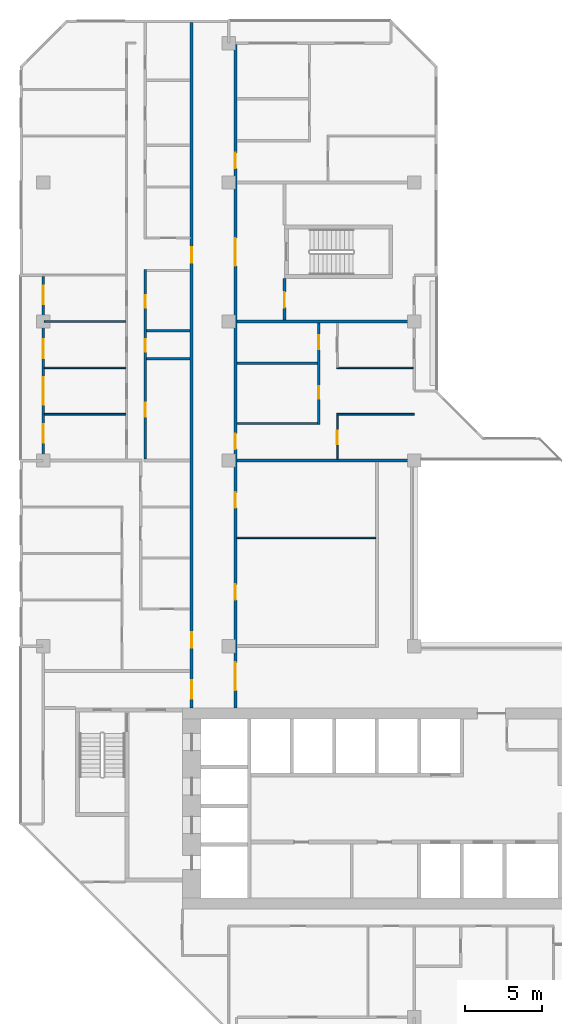
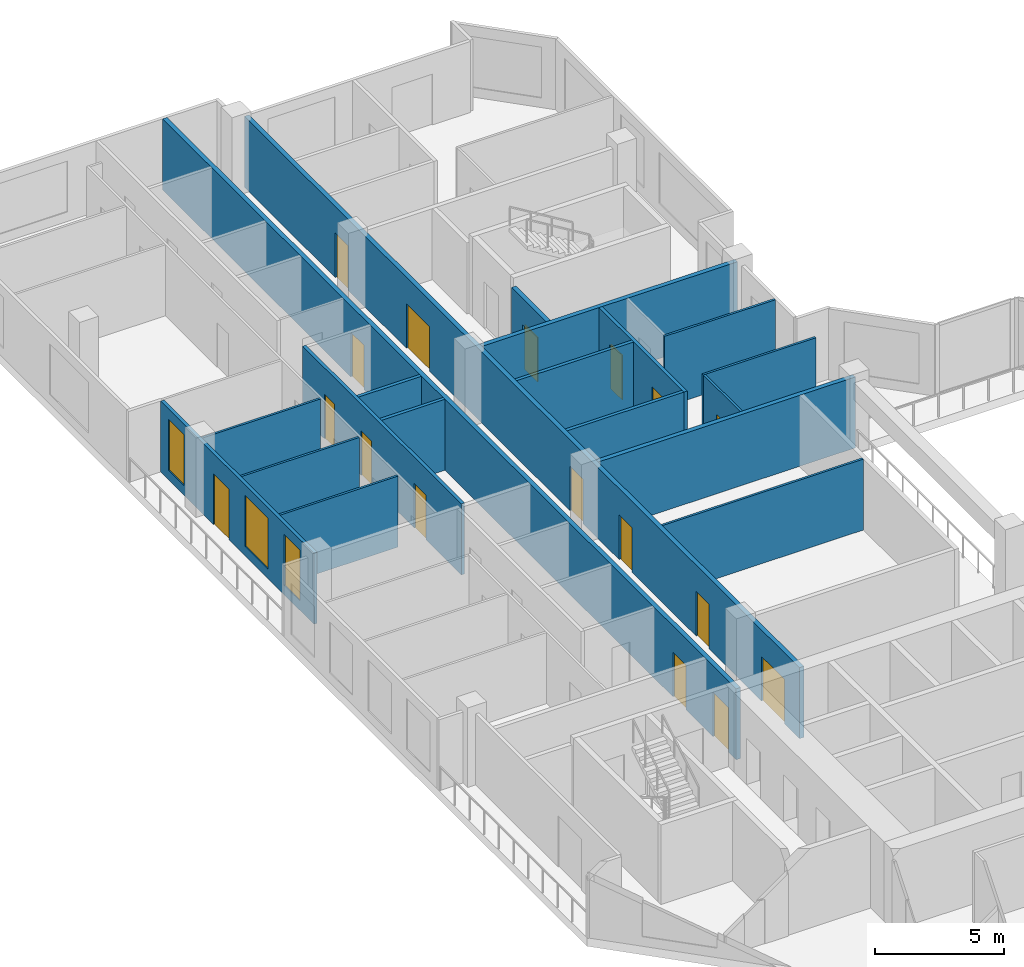
# One storey, part 9 of 15: 19 walls, 17 doors, 3 windows, 20 openings.
"""IFC4 building model written with IfcOpenShell, lengths in metres."""

from ifc_helpers import new_model, si_unit, direction, frame, frame_2d, origin, place, context, subcontext, project, spatial, rectangle, extrude, material, layer, layer_set, type_object, element, fill, save


model = new_model("IFC4")

# Units and contexts
model_context = context("Model", 3, precision=1e-05, world=origin(), true_north=direction((0.0, 1.0)))
body_context = subcontext(model_context, "Body", "Model", "MODEL_VIEW")
ifc_project = project(units=[si_unit("LENGTHUNIT", "METRE"), si_unit("AREAUNIT", "SQUARE_METRE"), si_unit("VOLUMEUNIT", "CUBIC_METRE"), si_unit("PLANEANGLEUNIT", "RADIAN"), si_unit("MASSUNIT", "GRAM", prefix="KILO")], contexts=[model_context])

# Site, building, storey
site_placement = place(None, origin())
site = spatial("IfcSite", under=ifc_project, at=site_placement, CompositionType="ELEMENT")
building_placement = place(site_placement, origin())
building = spatial("IfcBuilding", under=site, at=building_placement, Name="Chenar Terraces", CompositionType="ELEMENT")
storey_placement = place(building_placement, frame((0.0, 0.0, 249.14990234375)))
storey = spatial("IfcBuildingStorey", under=building, at=storey_placement, Name="L59", CompositionType="ELEMENT", Elevation=249.14990234375)

# Wall, openings, doors
ifc_material_1 = material(Name="Gypsum board on steel studs with fire boards", Category="steel")
ifc_layer_1 = layer(ifc_material_1, 0.199951171875)
ifc_layer_set_1 = layer_set([ifc_layer_1], Name="Gypsum board on steel studs with fire boards")
wall_type_1 = type_object("IfcWallType", Name="Corridor wall 200", PredefinedType="PARTITIONING", material=ifc_layer_set_1)
wall_1_placement = place(storey_placement, frame((9.60009765625, 20.0, 0.0), z_axis=(0.0, 0.0, 1.0), x_axis=(0.0, 1.0, 0.0)))
wall_1 = element("IfcWall", 1, at=wall_1_placement, inside=storey, type_object=wall_type_1, Name="Partition L59-033", PredefinedType="PARTITIONING", context=body_context, shape_type="SweptSolid", body=[
    extrude(rectangle(XDim=44.35009765625, YDim=0.199951171875, at=frame_2d((22.175048828125, 0.0))), origin(), (0.0, 0.0, 1.0), 3.35009765625),
])
opening_1_placement = place(wall_1_placement, frame((28.800048828125, 0.0, 0.0)))
opening_1 = element("IfcOpeningElement", 2, at=opening_1_placement, cuts=wall_1, Name="Opening DL59-33", PredefinedType="OPENING", context=body_context, shape_type="SweptSolid", body=[
    extrude(rectangle(XDim=1.0, YDim=2.10009765625, at=frame_2d((0.5, 1.050048828125))), frame((0.0, 0.10986328125, 0.0), z_axis=(0.0, -1.0, 0.0), x_axis=(1.0, 0.0, 0.0)), (0.0, 0.0, 1.0), 0.219970703125),
])
opening_2_placement = place(wall_1_placement, frame((0.60009765625, 0.0, 0.0)))
opening_2 = element("IfcOpeningElement", 3, at=opening_2_placement, cuts=wall_1, Name="Opening DL59-43", PredefinedType="OPENING", context=body_context, shape_type="SweptSolid", body=[
    extrude(rectangle(XDim=1.199951171875, YDim=2.10009765625, at=frame_2d((0.60009765625, 1.050048828125))), frame((0.0, 0.10986328125, 0.0), z_axis=(0.0, -1.0, 0.0), x_axis=(1.0, 0.0, 0.0)), (0.0, 0.0, 1.0), 0.219970703125),
])
opening_3_placement = place(wall_1_placement, frame((3.89990234375, 0.0, 0.0)))
opening_3 = element("IfcOpeningElement", 4, at=opening_3_placement, cuts=wall_1, Name="Opening DL59-65", PredefinedType="OPENING", context=body_context, shape_type="SweptSolid", body=[
    extrude(rectangle(XDim=1.0, YDim=2.10009765625, at=frame_2d((0.5, 1.050048828125))), frame((0.0, 0.10986328125, 0.0), z_axis=(0.0, -1.0, 0.0), x_axis=(1.0, 0.0, 0.0)), (0.0, 0.0, 1.0), 0.219970703125),
])
ifc_material_2 = material(Name="Steel-framed fire-resisting door leaf", Category="steel")
door_type_1 = type_object("IfcDoorType", Name="Fire door FD30S 1000 x 2100", OperationType="SINGLE_SWING_LEFT", PredefinedType="DOOR", material=ifc_material_2)
door_1_placement = place(opening_1_placement, origin())
door_1 = element("IfcDoor", 5, at=door_1_placement, inside=storey, type_object=door_type_1, Name="Door DL59-33", OperationType="SINGLE_SWING_LEFT", OverallHeight=2.10009765625, OverallWidth=1.0, PredefinedType="DOOR", context=body_context, shape_type="SweptSolid", body=[
    extrude(rectangle(XDim=1.0, YDim=2.10009765625, at=frame_2d((0.5, 1.050048828125))), frame((0.0, 0.02490234375, 0.0), z_axis=(0.0, -1.0, 0.0), x_axis=(1.0, 0.0, 0.0)), (0.0, 0.0, 1.0), 0.050048828125),
])
fill(opening_1, door_1)
door_2_placement = place(opening_3_placement, origin())
door_2 = element("IfcDoor", 6, at=door_2_placement, inside=storey, type_object=door_type_1, Name="Door DL59-65", OperationType="SINGLE_SWING_LEFT", OverallHeight=2.10009765625, OverallWidth=1.0, PredefinedType="DOOR", context=body_context, shape_type="SweptSolid", body=[
    extrude(rectangle(XDim=1.0, YDim=2.10009765625, at=frame_2d((0.5, 1.050048828125))), frame((0.0, 0.02490234375, 0.0), z_axis=(0.0, -1.0, 0.0), x_axis=(1.0, 0.0, 0.0)), (0.0, 0.0, 1.0), 0.050048828125),
])
fill(opening_3, door_2)
ifc_material_3 = material(Name="Steel-framed fire-resisting door leaf", Category="steel")
door_type_2 = type_object("IfcDoorType", Name="Fire door FD30S 1200 x 2100", OperationType="SINGLE_SWING_LEFT", PredefinedType="DOOR", material=ifc_material_3)
door_3_placement = place(opening_2_placement, origin())
door_3 = element("IfcDoor", 7, at=door_3_placement, inside=storey, type_object=door_type_2, Name="Door DL59-43", OperationType="SINGLE_SWING_RIGHT", OverallHeight=2.10009765625, OverallWidth=1.199951171875, PredefinedType="DOOR", context=body_context, shape_type="SweptSolid", body=[
    extrude(rectangle(XDim=1.199951171875, YDim=2.10009765625, at=frame_2d((0.60009765625, 1.050048828125))), frame((0.0, 0.02490234375, 0.0), z_axis=(0.0, -1.0, 0.0), x_axis=(1.0, 0.0, 0.0)), (0.0, 0.0, 1.0), 0.050048828125),
])
fill(opening_2, door_3)

wall_2_placement = place(storey_placement, frame((12.425048828125, 20.0, 0.0), z_axis=(0.0, 0.0, 1.0), x_axis=(0.0, 1.0, 0.0)))
wall_2 = element("IfcWall", 8, at=wall_2_placement, inside=storey, type_object=wall_type_1, Name="Partition L59-036", PredefinedType="PARTITIONING", context=body_context, shape_type="SweptSolid", body=[
    extrude(rectangle(XDim=42.926025390625, YDim=0.199951171875, at=frame_2d((21.462890625, 0.0))), origin(), (0.0, 0.0, 1.0), 3.35009765625),
])
opening_4_placement = place(wall_2_placement, frame((7.0, 0.0, 0.0)))
opening_4 = element("IfcOpeningElement", 9, at=opening_4_placement, cuts=wall_2, Name="Opening DL59-1", PredefinedType="OPENING", context=body_context, shape_type="SweptSolid", body=[
    extrude(rectangle(XDim=1.0, YDim=2.10009765625, at=frame_2d((0.5, 1.050048828125))), frame((0.0, 0.10986328125, 0.0), z_axis=(0.0, -1.0, 0.0), x_axis=(1.0, 0.0, 0.0)), (0.0, 0.0, 1.0), 0.219970703125),
])
opening_5_placement = place(wall_2_placement, frame((12.949951171875, 0.0, 0.0)))
opening_5 = element("IfcOpeningElement", 10, at=opening_5_placement, cuts=wall_2, Name="Opening DL59-2", PredefinedType="OPENING", context=body_context, shape_type="SweptSolid", body=[
    extrude(rectangle(XDim=1.0, YDim=2.10009765625, at=frame_2d((0.5, 1.050048828125))), frame((0.0, 0.10986328125, 0.0), z_axis=(0.0, -1.0, 0.0), x_axis=(1.0, 0.0, 0.0)), (0.0, 0.0, 1.0), 0.219970703125),
])
opening_6_placement = place(wall_2_placement, frame((16.75, 0.0, 0.0)))
opening_6 = element("IfcOpeningElement", 11, at=opening_6_placement, cuts=wall_2, Name="Opening DL59-21", PredefinedType="OPENING", context=body_context, shape_type="SweptSolid", body=[
    extrude(rectangle(XDim=1.0, YDim=2.10009765625, at=frame_2d((0.5, 1.050048828125))), frame((0.0, 0.10986328125, 0.0), z_axis=(0.0, -1.0, 0.0), x_axis=(1.0, 0.0, 0.0)), (0.0, 0.0, 1.0), 0.219970703125),
])
opening_7_placement = place(wall_2_placement, frame((34.89990234375, 0.0, 0.0)))
opening_7 = element("IfcOpeningElement", 12, at=opening_7_placement, cuts=wall_2, Name="Opening DL59-25", PredefinedType="OPENING", context=body_context, shape_type="SweptSolid", body=[
    extrude(rectangle(XDim=1.0, YDim=2.10009765625, at=frame_2d((0.5, 1.050048828125))), frame((0.0, 0.10986328125, 0.0), z_axis=(0.0, -1.0, 0.0), x_axis=(1.0, 0.0, 0.0)), (0.0, 0.0, 1.0), 0.219970703125),
])
opening_8_placement = place(wall_2_placement, frame((1.14990234375, 0.0, 0.0)))
opening_8 = element("IfcOpeningElement", 13, at=opening_8_placement, cuts=wall_2, Name="Opening DL59-42", PredefinedType="OPENING", context=body_context, shape_type="SweptSolid", body=[
    extrude(rectangle(XDim=1.800048828125, YDim=2.10009765625, at=frame_2d((0.89990234375, 1.050048828125))), frame((0.0, 0.10986328125, 0.0), z_axis=(0.0, -1.0, 0.0), x_axis=(1.0, 0.0, 0.0)), (0.0, 0.0, 1.0), 0.219970703125),
])
opening_9_placement = place(wall_2_placement, frame((28.60009765625, 0.0, 0.0)))
opening_9 = element("IfcOpeningElement", 14, at=opening_9_placement, cuts=wall_2, Name="Opening DL59-44", PredefinedType="OPENING", context=body_context, shape_type="SweptSolid", body=[
    extrude(rectangle(XDim=1.800048828125, YDim=2.10009765625, at=frame_2d((0.89990234375, 1.050048828125))), frame((0.0, 0.10986328125, 0.0), z_axis=(0.0, -1.0, 0.0), x_axis=(1.0, 0.0, 0.0)), (0.0, 0.0, 1.0), 0.219970703125),
])
ifc_material_4 = material(Name="Steel-framed fire-resisting door leaf", Category="steel")
door_type_3 = type_object("IfcDoorType", Name="Fire door FD60 1000 x 2100", OperationType="SINGLE_SWING_LEFT", PredefinedType="DOOR", material=ifc_material_4)
door_4_placement = place(opening_4_placement, frame((1.0, 0.0, 0.0), z_axis=(0.0, 0.0, 1.0), x_axis=(-1.0, 0.0, 0.0)))
door_4 = element("IfcDoor", 15, at=door_4_placement, inside=storey, type_object=door_type_3, Name="Door DL59-1", OperationType="SINGLE_SWING_LEFT", OverallHeight=2.10009765625, OverallWidth=1.0, PredefinedType="DOOR", context=body_context, shape_type="SweptSolid", body=[
    extrude(rectangle(XDim=1.0, YDim=2.10009765625, at=frame_2d((0.5, 1.050048828125))), frame((0.0, 0.02490234375, 0.0), z_axis=(0.0, -1.0, 0.0), x_axis=(1.0, 0.0, 0.0)), (0.0, 0.0, 1.0), 0.050048828125),
])
fill(opening_4, door_4)
door_5_placement = place(opening_5_placement, frame((1.0, 0.0, 0.0), z_axis=(0.0, 0.0, 1.0), x_axis=(-1.0, 0.0, 0.0)))
door_5 = element("IfcDoor", 16, at=door_5_placement, inside=storey, type_object=door_type_3, Name="Door DL59-2", OperationType="SINGLE_SWING_LEFT", OverallHeight=2.10009765625, OverallWidth=1.0, PredefinedType="DOOR", context=body_context, shape_type="SweptSolid", body=[
    extrude(rectangle(XDim=1.0, YDim=2.10009765625, at=frame_2d((0.5, 1.050048828125))), frame((0.0, 0.02490234375, 0.0), z_axis=(0.0, -1.0, 0.0), x_axis=(1.0, 0.0, 0.0)), (0.0, 0.0, 1.0), 0.050048828125),
])
fill(opening_5, door_5)
door_6_placement = place(opening_6_placement, frame((1.0, 0.0, 0.0), z_axis=(0.0, 0.0, 1.0), x_axis=(-1.0, 0.0, 0.0)))
door_6 = element("IfcDoor", 17, at=door_6_placement, inside=storey, type_object=door_type_3, Name="Door DL59-21", OperationType="SINGLE_SWING_LEFT", OverallHeight=2.10009765625, OverallWidth=1.0, PredefinedType="DOOR", context=body_context, shape_type="SweptSolid", body=[
    extrude(rectangle(XDim=1.0, YDim=2.10009765625, at=frame_2d((0.5, 1.050048828125))), frame((0.0, 0.02490234375, 0.0), z_axis=(0.0, -1.0, 0.0), x_axis=(1.0, 0.0, 0.0)), (0.0, 0.0, 1.0), 0.050048828125),
])
fill(opening_6, door_6)
door_7_placement = place(opening_7_placement, frame((1.0, 0.0, 0.0), z_axis=(0.0, 0.0, 1.0), x_axis=(-1.0, 0.0, 0.0)))
door_7 = element("IfcDoor", 18, at=door_7_placement, inside=storey, type_object=door_type_3, Name="Door DL59-25", OperationType="SINGLE_SWING_LEFT", OverallHeight=2.10009765625, OverallWidth=1.0, PredefinedType="DOOR", context=body_context, shape_type="SweptSolid", body=[
    extrude(rectangle(XDim=1.0, YDim=2.10009765625, at=frame_2d((0.5, 1.050048828125))), frame((0.0, 0.02490234375, 0.0), z_axis=(0.0, -1.0, 0.0), x_axis=(1.0, 0.0, 0.0)), (0.0, 0.0, 1.0), 0.050048828125),
])
fill(opening_7, door_7)
ifc_material_5 = material(Name="Steel-framed fire-resisting door leaf", Category="steel")
door_type_4 = type_object("IfcDoorType", Name="Fire double door FD60 1800 x 2100", OperationType="DOUBLE_DOOR_SINGLE_SWING", PredefinedType="DOOR", material=ifc_material_5)
door_8_placement = place(opening_8_placement, frame((1.800048828125, 0.0, 0.0), z_axis=(0.0, 0.0, 1.0), x_axis=(-1.0, 0.0, 0.0)))
door_8 = element("IfcDoor", 19, at=door_8_placement, inside=storey, type_object=door_type_4, Name="Door DL59-42", OperationType="DOUBLE_DOOR_SINGLE_SWING", OverallHeight=2.10009765625, OverallWidth=1.800048828125, PredefinedType="DOOR", context=body_context, shape_type="SweptSolid", body=[
    extrude(rectangle(XDim=1.800048828125, YDim=2.10009765625, at=frame_2d((0.89990234375, 1.050048828125))), frame((0.0, 0.02490234375, 0.0), z_axis=(0.0, -1.0, 0.0), x_axis=(1.0, 0.0, 0.0)), (0.0, 0.0, 1.0), 0.050048828125),
])
fill(opening_8, door_8)
door_9_placement = place(opening_9_placement, frame((1.800048828125, 0.0, 0.0), z_axis=(0.0, 0.0, 1.0), x_axis=(-1.0, 0.0, 0.0)))
door_9 = element("IfcDoor", 20, at=door_9_placement, inside=storey, type_object=door_type_4, Name="Door DL59-44", OperationType="DOUBLE_DOOR_SINGLE_SWING", OverallHeight=2.10009765625, OverallWidth=1.800048828125, PredefinedType="DOOR", context=body_context, shape_type="SweptSolid", body=[
    extrude(rectangle(XDim=1.800048828125, YDim=2.10009765625, at=frame_2d((0.89990234375, 1.050048828125))), frame((0.0, 0.02490234375, 0.0), z_axis=(0.0, -1.0, 0.0), x_axis=(1.0, 0.0, 0.0)), (0.0, 0.0, 1.0), 0.050048828125),
])
fill(opening_9, door_9)

# Wall, opening, door
wall_3_placement = place(storey_placement, frame((15.60009765625, 45.10009765625, 0.0), z_axis=(0.0, 0.0, 1.0), x_axis=(0.0, 1.0, 0.0)))
wall_3 = element("IfcWall", 21, at=wall_3_placement, inside=storey, type_object=wall_type_1, Name="Partition L59-046", PredefinedType="PARTITIONING", context=body_context, shape_type="SweptSolid", body=[
    extrude(rectangle(XDim=2.6748046875, YDim=0.199951171875, at=frame_2d((1.33740234375, 0.0))), origin(), (0.0, 0.0, 1.0), 3.35009765625),
])
opening_10_placement = place(wall_3_placement, frame((0.800048828125, 0.0, 0.0)))
opening_10 = element("IfcOpeningElement", 22, at=opening_10_placement, cuts=wall_3, Name="Opening DL59-46", PredefinedType="OPENING", context=body_context, shape_type="SweptSolid", body=[
    extrude(rectangle(XDim=1.0, YDim=2.10009765625, at=frame_2d((0.5, 1.050048828125))), frame((0.0, 0.10986328125, 0.0), z_axis=(0.0, -1.0, 0.0), x_axis=(1.0, 0.0, 0.0)), (0.0, 0.0, 1.0), 0.219970703125),
])
door_10_placement = place(opening_10_placement, frame((1.0, 0.0, 0.0), z_axis=(0.0, 0.0, 1.0), x_axis=(-1.0, 0.0, 0.0)))
door_10 = element("IfcDoor", 23, at=door_10_placement, inside=storey, type_object=door_type_3, Name="Door DL59-46", OperationType="SINGLE_SWING_RIGHT", OverallHeight=2.10009765625, OverallWidth=1.0, PredefinedType="DOOR", context=body_context, shape_type="SweptSolid", body=[
    extrude(rectangle(XDim=1.0, YDim=2.10009765625, at=frame_2d((0.5, 1.050048828125))), frame((0.0, 0.02490234375, 0.0), z_axis=(0.0, -1.0, 0.0), x_axis=(1.0, 0.0, 0.0)), (0.0, 0.0, 1.0), 0.050048828125),
])
fill(opening_10, door_10)

# Wall, openings, windows, door
ifc_material_6 = material(Name="Aluminium framed glazing", Category="aluminium")
ifc_layer_2 = layer(ifc_material_6, 0.14990234375)
ifc_layer_set_2 = layer_set([ifc_layer_2], Name="Aluminium framed glazing")
wall_type_2 = type_object("IfcWallType", Name="Glazed loggia back wall 150", PredefinedType="SOLIDWALL", material=ifc_layer_set_2)
wall_4_placement = place(storey_placement, frame((0.0, 47.925048828125, 0.0), z_axis=(0.0, 0.0, 1.0), x_axis=(0.0, -1.0, 0.0)))
wall_4 = element("IfcWall", 24, at=wall_4_placement, inside=storey, type_object=wall_type_2, Name="Glazed loggia back wall", PredefinedType="SOLIDWALL", context=body_context, shape_type="SweptSolid", body=[
    extrude(rectangle(XDim=11.85009765625, YDim=0.14990234375, at=frame_2d((5.925048828125, 0.0))), origin(), (0.0, 0.0, 1.0), 3.35009765625),
])
opening_11_placement = place(wall_4_placement, frame((0.60009765625, 0.0, 0.449951171875)))
opening_11 = element("IfcOpeningElement", 25, at=opening_11_placement, cuts=wall_4, Name="Opening W120x240", PredefinedType="OPENING", context=body_context, shape_type="SweptSolid", body=[
    extrude(rectangle(XDim=1.199951171875, YDim=2.39990234375, at=frame_2d((0.60009765625, 1.199951171875))), frame((0.0, 0.0849609375, 0.0), z_axis=(0.0, -1.0, 0.0), x_axis=(1.0, 0.0, 0.0)), (0.0, 0.0, 1.0), 0.169921875),
])
opening_12_placement = place(wall_4_placement, frame((4.08740234375, 0.0, 0.0)))
opening_12 = element("IfcOpeningElement", 26, at=opening_12_placement, cuts=wall_4, Name="Opening DL59-G3", PredefinedType="OPENING", context=body_context, shape_type="SweptSolid", body=[
    extrude(rectangle(XDim=1.199951171875, YDim=2.39990234375, at=frame_2d((0.60009765625, 1.199951171875))), frame((0.0, 0.0849609375, 0.0), z_axis=(0.0, -1.0, 0.0), x_axis=(1.0, 0.0, 0.0)), (0.0, 0.0, 1.0), 0.169921875),
])
opening_13_placement = place(wall_4_placement, frame((6.52490234375, 0.0, 0.449951171875)))
opening_13 = element("IfcOpeningElement", 27, at=opening_13_placement, cuts=wall_4, Name="Opening W180x240", PredefinedType="OPENING", context=body_context, shape_type="SweptSolid", body=[
    extrude(rectangle(XDim=1.800048828125, YDim=2.39990234375, at=frame_2d((0.89990234375, 1.199951171875))), frame((0.0, 0.0849609375, 0.0), z_axis=(0.0, -1.0, 0.0), x_axis=(1.0, 0.0, 0.0)), (0.0, 0.0, 1.0), 0.169921875),
])
opening_14_placement = place(wall_4_placement, frame((9.5625, 0.0, 0.449951171875)))
opening_14 = element("IfcOpeningElement", 28, at=opening_14_placement, cuts=wall_4, Name="Opening W120x240", PredefinedType="OPENING", context=body_context, shape_type="SweptSolid", body=[
    extrude(rectangle(XDim=1.199951171875, YDim=2.39990234375, at=frame_2d((0.60009765625, 1.199951171875))), frame((0.0, 0.0849609375, 0.0), z_axis=(0.0, -1.0, 0.0), x_axis=(1.0, 0.0, 0.0)), (0.0, 0.0, 1.0), 0.169921875),
])
ifc_material_7 = material(Name="Low emissivity double glazing, aluminium frame", Category="aluminium")
window_type_1 = type_object("IfcWindowType", Name="Fixed light 1200 x 2400", PartitioningType="SINGLE_PANEL", PredefinedType="WINDOW", material=ifc_material_7)
window_1_placement = place(opening_11_placement, origin())
window_1 = element("IfcWindow", 29, at=window_1_placement, inside=storey, type_object=window_type_1, Name="Window", OverallHeight=2.39990234375, OverallWidth=1.199951171875, PartitioningType="SINGLE_PANEL", PredefinedType="WINDOW", context=body_context, shape_type="SweptSolid", body=[
    extrude(rectangle(XDim=1.199951171875, YDim=2.39990234375, at=frame_2d((0.60009765625, 1.199951171875))), frame((0.0, 0.030029296875, 0.0), z_axis=(0.0, -1.0, 0.0), x_axis=(1.0, 0.0, 0.0)), (0.0, 0.0, 1.0), 0.06005859375),
])
fill(opening_11, window_1)
window_2_placement = place(opening_14_placement, origin())
window_2 = element("IfcWindow", 30, at=window_2_placement, inside=storey, type_object=window_type_1, Name="Window", OverallHeight=2.39990234375, OverallWidth=1.199951171875, PartitioningType="SINGLE_PANEL", PredefinedType="WINDOW", context=body_context, shape_type="SweptSolid", body=[
    extrude(rectangle(XDim=1.199951171875, YDim=2.39990234375, at=frame_2d((0.60009765625, 1.199951171875))), frame((0.0, 0.030029296875, 0.0), z_axis=(0.0, -1.0, 0.0), x_axis=(1.0, 0.0, 0.0)), (0.0, 0.0, 1.0), 0.06005859375),
])
fill(opening_14, window_2)
ifc_material_8 = material(Name="Low emissivity double glazing, aluminium frame", Category="aluminium")
window_type_2 = type_object("IfcWindowType", Name="Fixed light 1800 x 2400", PartitioningType="SINGLE_PANEL", PredefinedType="WINDOW", material=ifc_material_8)
window_3_placement = place(opening_13_placement, origin())
window_3 = element("IfcWindow", 31, at=window_3_placement, inside=storey, type_object=window_type_2, Name="Window", OverallHeight=2.39990234375, OverallWidth=1.800048828125, PartitioningType="SINGLE_PANEL", PredefinedType="WINDOW", context=body_context, shape_type="SweptSolid", body=[
    extrude(rectangle(XDim=1.800048828125, YDim=2.39990234375, at=frame_2d((0.89990234375, 1.199951171875))), frame((0.0, 0.030029296875, 0.0), z_axis=(0.0, -1.0, 0.0), x_axis=(1.0, 0.0, 0.0)), (0.0, 0.0, 1.0), 0.06005859375),
])
fill(opening_13, window_3)
ifc_material_9 = material(Name="Low emissivity double glazing, aluminium frame", Category="aluminium")
door_type_5 = type_object("IfcDoorType", Name="Loggia glazed double door 1200 x 2400", OperationType="DOUBLE_DOOR_SINGLE_SWING", PredefinedType="DOOR", material=ifc_material_9)
door_11_placement = place(opening_12_placement, frame((1.199951171875, 0.0, 0.0), z_axis=(0.0, 0.0, 1.0), x_axis=(-1.0, 0.0, 0.0)))
door_11 = element("IfcDoor", 32, at=door_11_placement, inside=storey, type_object=door_type_5, Name="Loggia glazed door", OperationType="DOUBLE_DOOR_SINGLE_SWING", OverallHeight=2.39990234375, OverallWidth=1.199951171875, PredefinedType="DOOR", context=body_context, shape_type="SweptSolid", body=[
    extrude(rectangle(XDim=1.199951171875, YDim=2.39990234375, at=frame_2d((0.60009765625, 1.199951171875))), frame((0.0, 0.02490234375, 0.0), z_axis=(0.0, -1.0, 0.0), x_axis=(1.0, 0.0, 0.0)), (0.0, 0.0, 1.0), 0.050048828125),
])
fill(opening_12, door_11)

# Walls
ifc_material_10 = material(Name="Gypsum board on steel studs", Category="steel")
ifc_layer_3 = layer(ifc_material_10, 0.10009765625)
ifc_layer_set_3 = layer_set([ifc_layer_3], Name="Gypsum board on steel studs")
wall_type_3 = type_object("IfcWallType", Name="Gypsum partition 100", PredefinedType="PARTITIONING", material=ifc_layer_set_3)
for number, where, z_axis, x_axis, name in (
    (33, (0.073974609375, 39.0, 0.0), (0.0, 0.0, 1.0), (1.0, 0.0, 0.0), "Partition L59-010"),
    (34, (0.073974609375, 42.0, 0.0), (0.0, 0.0, 1.0), (1.0, 0.0, 0.0), "Partition L59-011"),
    (35, (0.073974609375, 45.0, 0.0), (0.0, 0.0, 1.0), (1.0, 0.0, 0.0), "Partition L59-012"),
):
    element("IfcWall", number, at=place(storey_placement, frame(where, z_axis=z_axis, x_axis=x_axis)), inside=storey, type_object=wall_type_3, Name=name, PredefinedType="PARTITIONING", context=body_context, shape_type="SweptSolid", body=[
        extrude(rectangle(XDim=5.276123046875, YDim=0.10009765625, at=frame_2d((2.63818359375, 0.0))), origin(), (0.0, 0.0, 1.0), 3.35009765625),
    ])
wall_5_placement = place(storey_placement, frame((12.52490234375, 31.0, 0.0), z_axis=(0.0, 0.0, 1.0), x_axis=(1.0, 0.0, 0.0)))
element("IfcWall", 36, at=wall_5_placement, inside=storey, type_object=wall_type_3, Name="Partition L59-038", PredefinedType="PARTITIONING", context=body_context, shape_type="SweptSolid", body=[
    extrude(rectangle(XDim=8.97509765625, YDim=0.10009765625, at=frame_2d((4.487548828125, 0.0))), origin(), (0.0, 0.0, 1.0), 3.35009765625),
])
wall_6_placement = place(storey_placement, frame((18.97509765625, 39.0, 0.0), z_axis=(0.0, 0.0, 1.0), x_axis=(1.0, 0.0, 0.0)))
element("IfcWall", 37, at=wall_6_placement, inside=storey, type_object=wall_type_3, Name="Partition L59-052", PredefinedType="PARTITIONING", context=body_context, shape_type="SweptSolid", body=[
    extrude(rectangle(XDim=5.02490234375, YDim=0.10009765625, at=frame_2d((2.512451171875, 0.0))), origin(), (0.0, 0.0, 1.0), 3.35009765625),
])
wall_7_placement = place(storey_placement, frame((18.97509765625, 42.0, 0.0), z_axis=(0.0, 0.0, 1.0), x_axis=(1.0, 0.0, 0.0)))
element("IfcWall", 38, at=wall_7_placement, inside=storey, type_object=wall_type_3, Name="Partition L59-053", PredefinedType="PARTITIONING", context=body_context, shape_type="SweptSolid", body=[
    extrude(rectangle(XDim=4.950927734375, YDim=0.10009765625, at=frame_2d((2.4755859375, 0.0))), origin(), (0.0, 0.0, 1.0), 3.35009765625),
])

# Wall, opening, door
wall_8_placement = place(storey_placement, frame((19.02490234375, 36.10009765625, 0.0), z_axis=(0.0, 0.0, 1.0), x_axis=(0.0, 1.0, 0.0)))
wall_8 = element("IfcWall", 39, at=wall_8_placement, inside=storey, type_object=wall_type_3, Name="Partition L59-054", PredefinedType="PARTITIONING", context=body_context, shape_type="SweptSolid", body=[
    extrude(rectangle(XDim=2.849853515625, YDim=0.10009765625, at=frame_2d((1.4248046875, 0.0))), origin(), (0.0, 0.0, 1.0), 3.35009765625),
])
opening_15_placement = place(wall_8_placement, frame((0.949951171875, 0.0, 0.0)))
opening_15 = element("IfcOpeningElement", 40, at=opening_15_placement, cuts=wall_8, Name="Opening DL59-18", PredefinedType="OPENING", context=body_context, shape_type="SweptSolid", body=[
    extrude(rectangle(XDim=0.89990234375, YDim=2.10009765625, at=frame_2d((0.449951171875, 1.050048828125))), frame((0.0, 0.06005859375, 0.0), z_axis=(0.0, -1.0, 0.0), x_axis=(1.0, 0.0, 0.0)), (0.0, 0.0, 1.0), 0.1201171875),
])
ifc_material_11 = material(Name="Veneered timber door leaf", Category="wood")
door_type_6 = type_object("IfcDoorType", Name="Door 900 x 2100", OperationType="SINGLE_SWING_LEFT", PredefinedType="DOOR", material=ifc_material_11)
door_12_placement = place(opening_15_placement, frame((0.89990234375, 0.0, 0.0), z_axis=(0.0, 0.0, 1.0), x_axis=(-1.0, 0.0, 0.0)))
door_12 = element("IfcDoor", 41, at=door_12_placement, inside=storey, type_object=door_type_6, Name="Door DL59-18", OperationType="SINGLE_SWING_LEFT", OverallHeight=2.10009765625, OverallWidth=0.89990234375, PredefinedType="DOOR", context=body_context, shape_type="SweptSolid", body=[
    extrude(rectangle(XDim=0.89990234375, YDim=2.10009765625, at=frame_2d((0.449951171875, 1.050048828125))), frame((0.0, 0.02490234375, 0.0), z_axis=(0.0, -1.0, 0.0), x_axis=(1.0, 0.0, 0.0)), (0.0, 0.0, 1.0), 0.050048828125),
])
fill(opening_15, door_12)

# Walls
ifc_material_12 = material(Name="Twin gypsum board on steel studs with mineral wool", Category="steel")
ifc_layer_4 = layer(ifc_material_12, 0.199951171875)
ifc_layer_set_4 = layer_set([ifc_layer_4], Name="Twin gypsum board on steel studs with mineral wool")
wall_type_4 = type_object("IfcWallType", Name="Unit demising wall 200", PredefinedType="PARTITIONING", material=ifc_layer_set_4)
wall_9_placement = place(storey_placement, frame((12.52490234375, 36.0, 0.0), z_axis=(0.0, 0.0, 1.0), x_axis=(1.0, 0.0, 0.0)))
element("IfcWall", 42, at=wall_9_placement, inside=storey, type_object=wall_type_4, Name="Partition L59-039", PredefinedType="PARTITIONING", context=body_context, shape_type="SweptSolid", body=[
    extrude(rectangle(XDim=11.47509765625, YDim=0.199951171875, at=frame_2d((5.737548828125, 0.0))), origin(), (0.0, 0.0, 1.0), 3.35009765625),
])
wall_10_placement = place(storey_placement, frame((12.52490234375, 45.0, 0.0), z_axis=(0.0, 0.0, 1.0), x_axis=(1.0, 0.0, 0.0)))
element("IfcWall", 43, at=wall_10_placement, inside=storey, type_object=wall_type_4, Name="Partition L59-042", PredefinedType="PARTITIONING", context=body_context, shape_type="SweptSolid", body=[
    extrude(rectangle(XDim=11.401123046875, YDim=0.199951171875, at=frame_2d((5.70068359375, 0.0))), origin(), (0.0, 0.0, 1.0), 3.35009765625),
])

# Wall, openings, doors
ifc_material_13 = material(Name="Moisture-resistant gypsum board on steel studs", Category="steel")
ifc_layer_5 = layer(ifc_material_13, 0.14990234375)
ifc_layer_set_5 = layer_set([ifc_layer_5], Name="Moisture-resistant gypsum board on steel studs")
wall_type_5 = type_object("IfcWallType", Name="Wet-room partition 150", PredefinedType="PARTITIONING", material=ifc_layer_set_5)
wall_11_placement = place(storey_placement, frame((6.60009765625, 36.10009765625, 0.0), z_axis=(0.0, 0.0, 1.0), x_axis=(0.0, 1.0, 0.0)))
wall_11 = element("IfcWall", 44, at=wall_11_placement, inside=storey, type_object=wall_type_5, Name="Partition L59-022", PredefinedType="PARTITIONING", context=body_context, shape_type="SweptSolid", body=[
    extrude(rectangle(XDim=12.27490234375, YDim=0.14990234375, at=frame_2d((6.137451171875, 0.0))), origin(), (0.0, 0.0, 1.0), 3.35009765625),
])
opening_16_placement = place(wall_11_placement, frame((6.949951171875, 0.0, 0.0)))
opening_16 = element("IfcOpeningElement", 45, at=opening_16_placement, cuts=wall_11, Name="Opening DL59-26", PredefinedType="OPENING", context=body_context, shape_type="SweptSolid", body=[
    extrude(rectangle(XDim=0.800048828125, YDim=2.10009765625, at=frame_2d((0.39990234375, 1.050048828125))), frame((0.0, 0.0849609375, 0.0), z_axis=(0.0, -1.0, 0.0), x_axis=(1.0, 0.0, 0.0)), (0.0, 0.0, 1.0), 0.169921875),
])
opening_17_placement = place(wall_11_placement, frame((2.75, 0.0, 0.0)))
opening_17 = element("IfcOpeningElement", 46, at=opening_17_placement, cuts=wall_11, Name="Opening DL59-34", PredefinedType="OPENING", context=body_context, shape_type="SweptSolid", body=[
    extrude(rectangle(XDim=0.89990234375, YDim=2.10009765625, at=frame_2d((0.449951171875, 1.050048828125))), frame((0.0, 0.0849609375, 0.0), z_axis=(0.0, -1.0, 0.0), x_axis=(1.0, 0.0, 0.0)), (0.0, 0.0, 1.0), 0.169921875),
])
opening_18_placement = place(wall_11_placement, frame((9.800048828125, 0.0, 0.0)))
opening_18 = element("IfcOpeningElement", 47, at=opening_18_placement, cuts=wall_11, Name="Opening DL59-38", PredefinedType="OPENING", context=body_context, shape_type="SweptSolid", body=[
    extrude(rectangle(XDim=0.800048828125, YDim=2.10009765625, at=frame_2d((0.39990234375, 1.050048828125))), frame((0.0, 0.0849609375, 0.0), z_axis=(0.0, -1.0, 0.0), x_axis=(1.0, 0.0, 0.0)), (0.0, 0.0, 1.0), 0.169921875),
])
ifc_material_14 = material(Name="Veneered timber door leaf", Category="wood")
door_type_7 = type_object("IfcDoorType", Name="Door 800 x 2100", OperationType="SINGLE_SWING_LEFT", PredefinedType="DOOR", material=ifc_material_14)
door_13_placement = place(opening_16_placement, frame((0.800048828125, 0.0, 0.0), z_axis=(0.0, 0.0, 1.0), x_axis=(-1.0, 0.0, 0.0)))
door_13 = element("IfcDoor", 48, at=door_13_placement, inside=storey, type_object=door_type_7, Name="Door DL59-26", OperationType="SINGLE_SWING_RIGHT", OverallHeight=2.10009765625, OverallWidth=0.800048828125, PredefinedType="DOOR", context=body_context, shape_type="SweptSolid", body=[
    extrude(rectangle(XDim=0.800048828125, YDim=2.10009765625, at=frame_2d((0.39990234375, 1.050048828125))), frame((0.0, 0.02490234375, 0.0), z_axis=(0.0, -1.0, 0.0), x_axis=(1.0, 0.0, 0.0)), (0.0, 0.0, 1.0), 0.050048828125),
])
fill(opening_16, door_13)
door_14_placement = place(opening_18_placement, frame((0.800048828125, 0.0, 0.0), z_axis=(0.0, 0.0, 1.0), x_axis=(-1.0, 0.0, 0.0)))
door_14 = element("IfcDoor", 49, at=door_14_placement, inside=storey, type_object=door_type_7, Name="Door DL59-38", OperationType="SINGLE_SWING_RIGHT", OverallHeight=2.10009765625, OverallWidth=0.800048828125, PredefinedType="DOOR", context=body_context, shape_type="SweptSolid", body=[
    extrude(rectangle(XDim=0.800048828125, YDim=2.10009765625, at=frame_2d((0.39990234375, 1.050048828125))), frame((0.0, 0.02490234375, 0.0), z_axis=(0.0, -1.0, 0.0), x_axis=(1.0, 0.0, 0.0)), (0.0, 0.0, 1.0), 0.050048828125),
])
fill(opening_18, door_14)
door_15_placement = place(opening_17_placement, frame((0.89990234375, 0.0, 0.0), z_axis=(0.0, 0.0, 1.0), x_axis=(-1.0, 0.0, 0.0)))
door_15 = element("IfcDoor", 50, at=door_15_placement, inside=storey, type_object=door_type_6, Name="Door DL59-34", OperationType="SINGLE_SWING_LEFT", OverallHeight=2.10009765625, OverallWidth=0.89990234375, PredefinedType="DOOR", context=body_context, shape_type="SweptSolid", body=[
    extrude(rectangle(XDim=0.89990234375, YDim=2.10009765625, at=frame_2d((0.449951171875, 1.050048828125))), frame((0.0, 0.02490234375, 0.0), z_axis=(0.0, -1.0, 0.0), x_axis=(1.0, 0.0, 0.0)), (0.0, 0.0, 1.0), 0.050048828125),
])
fill(opening_17, door_15)

# Walls
for number, where, z_axis, x_axis, name in (
    (51, (6.675048828125, 42.60009765625, 0.0), (0.0, 0.0, 1.0), (1.0, 0.0, 0.0), "Partition L59-024"),
    (52, (6.675048828125, 44.39990234375, 0.0), (0.0, 0.0, 1.0), (1.0, 0.0, 0.0), "Partition L59-025"),
):
    element("IfcWall", number, at=place(storey_placement, frame(where, z_axis=z_axis, x_axis=x_axis)), inside=storey, type_object=wall_type_5, Name=name, PredefinedType="PARTITIONING", context=body_context, shape_type="SweptSolid", body=[
        extrude(rectangle(XDim=2.824951171875, YDim=0.14990234375, at=frame_2d((1.41259765625, 0.0))), origin(), (0.0, 0.0, 1.0), 3.35009765625),
    ])
for number, where, z_axis, x_axis, name in (
    (53, (12.52490234375, 38.39990234375, 0.0), (0.0, 0.0, 1.0), (1.0, 0.0, 0.0), "Partition L59-040"),
    (54, (12.52490234375, 42.300048828125, 0.0), (0.0, 0.0, 1.0), (1.0, 0.0, 0.0), "Partition L59-041"),
):
    element("IfcWall", number, at=place(storey_placement, frame(where, z_axis=z_axis, x_axis=x_axis)), inside=storey, type_object=wall_type_5, Name=name, PredefinedType="PARTITIONING", context=body_context, shape_type="SweptSolid", body=[
        extrude(rectangle(XDim=5.22509765625, YDim=0.14990234375, at=frame_2d((2.612548828125, 0.0))), origin(), (0.0, 0.0, 1.0), 3.35009765625),
    ])

# Wall, openings, doors
wall_12_placement = place(storey_placement, frame((17.824951171875, 38.324951171875, 0.0), z_axis=(0.0, 0.0, 1.0), x_axis=(0.0, 1.0, 0.0)))
wall_12 = element("IfcWall", 55, at=wall_12_placement, inside=storey, type_object=wall_type_5, Name="Partition L59-049", PredefinedType="PARTITIONING", context=body_context, shape_type="SweptSolid", body=[
    extrude(rectangle(XDim=6.574951171875, YDim=0.14990234375, at=frame_2d((3.28759765625, 0.0))), origin(), (0.0, 0.0, 1.0), 3.35009765625),
])
opening_19_placement = place(wall_12_placement, frame((1.675048828125, 0.0, 0.0)))
opening_19 = element("IfcOpeningElement", 56, at=opening_19_placement, cuts=wall_12, Name="Opening DL59-17", PredefinedType="OPENING", context=body_context, shape_type="SweptSolid", body=[
    extrude(rectangle(XDim=0.800048828125, YDim=2.10009765625, at=frame_2d((0.39990234375, 1.050048828125))), frame((0.0, 0.0849609375, 0.0), z_axis=(0.0, -1.0, 0.0), x_axis=(1.0, 0.0, 0.0)), (0.0, 0.0, 1.0), 0.169921875),
])
opening_20_placement = place(wall_12_placement, frame((4.875, 0.0, 0.0)))
opening_20 = element("IfcOpeningElement", 57, at=opening_20_placement, cuts=wall_12, Name="Opening DL59-20", PredefinedType="OPENING", context=body_context, shape_type="SweptSolid", body=[
    extrude(rectangle(XDim=0.89990234375, YDim=2.10009765625, at=frame_2d((0.449951171875, 1.050048828125))), frame((0.0, 0.0849609375, 0.0), z_axis=(0.0, -1.0, 0.0), x_axis=(1.0, 0.0, 0.0)), (0.0, 0.0, 1.0), 0.169921875),
])
door_16_placement = place(opening_19_placement, origin())
door_16 = element("IfcDoor", 58, at=door_16_placement, inside=storey, type_object=door_type_7, Name="Door DL59-17", OperationType="SINGLE_SWING_RIGHT", OverallHeight=2.10009765625, OverallWidth=0.800048828125, PredefinedType="DOOR", context=body_context, shape_type="SweptSolid", body=[
    extrude(rectangle(XDim=0.800048828125, YDim=2.10009765625, at=frame_2d((0.39990234375, 1.050048828125))), frame((0.0, 0.02490234375, 0.0), z_axis=(0.0, -1.0, 0.0), x_axis=(1.0, 0.0, 0.0)), (0.0, 0.0, 1.0), 0.050048828125),
])
fill(opening_19, door_16)
door_17_placement = place(opening_20_placement, origin())
door_17 = element("IfcDoor", 59, at=door_17_placement, inside=storey, type_object=door_type_6, Name="Door DL59-20", OperationType="SINGLE_SWING_LEFT", OverallHeight=2.10009765625, OverallWidth=0.89990234375, PredefinedType="DOOR", context=body_context, shape_type="SweptSolid", body=[
    extrude(rectangle(XDim=0.89990234375, YDim=2.10009765625, at=frame_2d((0.449951171875, 1.050048828125))), frame((0.0, 0.02490234375, 0.0), z_axis=(0.0, -1.0, 0.0), x_axis=(1.0, 0.0, 0.0)), (0.0, 0.0, 1.0), 0.050048828125),
])
fill(opening_20, door_17)

save(model, "model.ifc")
